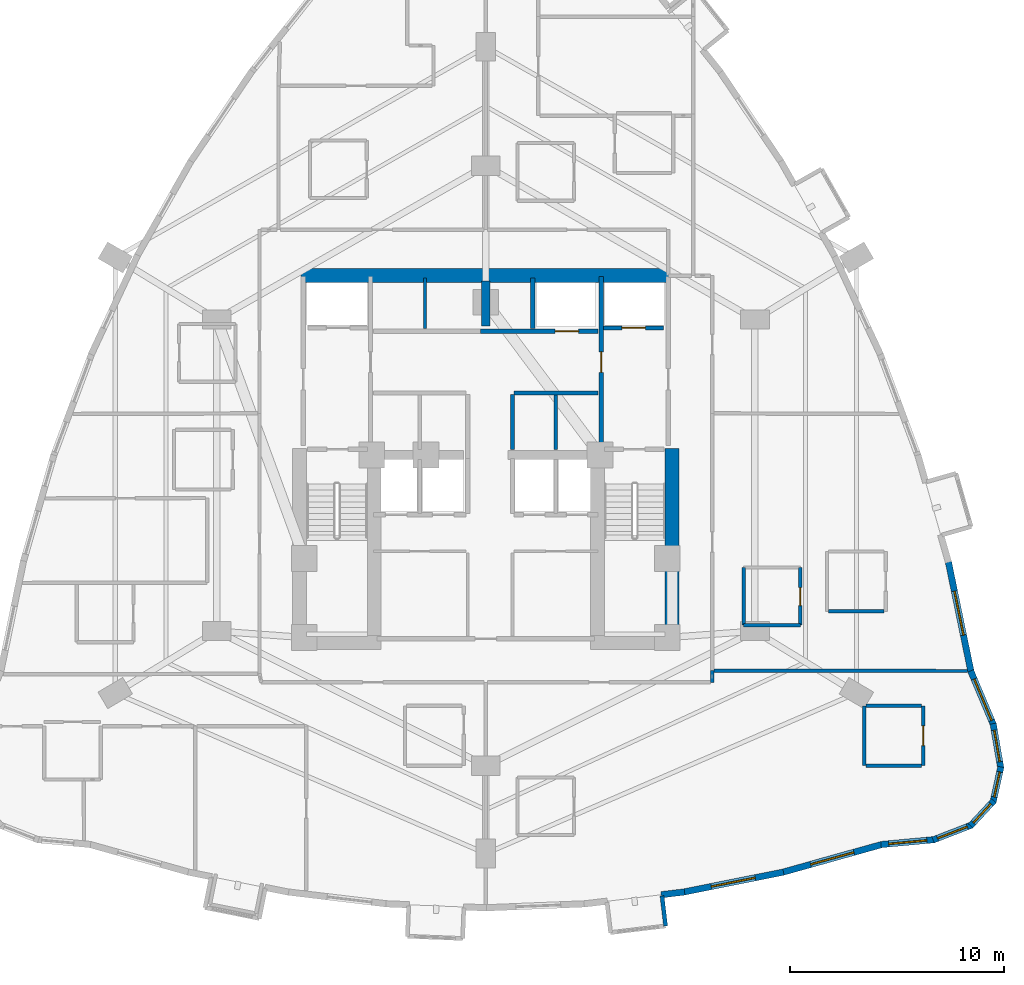
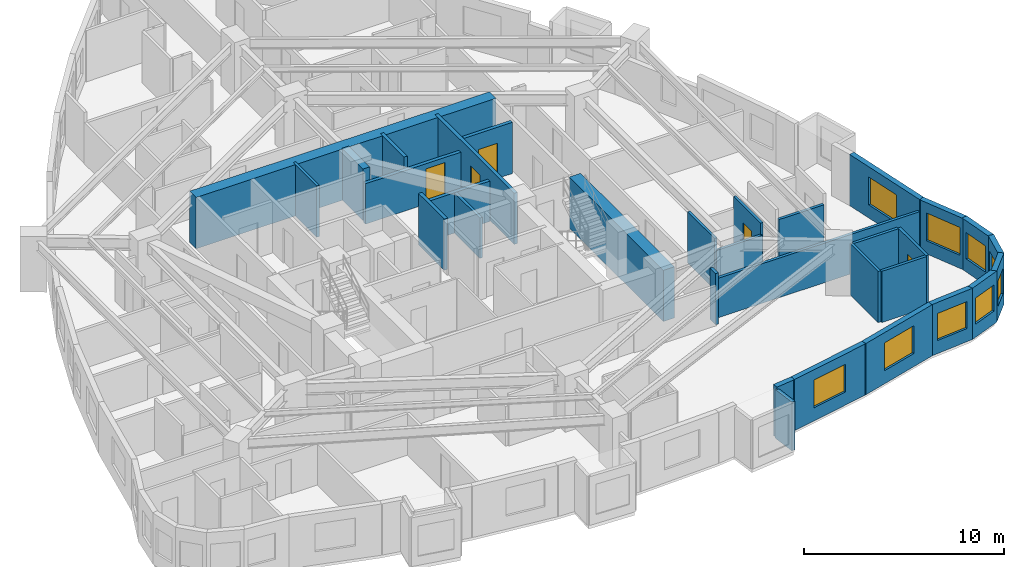
# One storey, part 11 of 15: 32 walls, 9 windows, 5 doors, 14 openings.
"""IFC4 building model written with IfcOpenShell, lengths in metres."""

from ifc_helpers import new_model, si_unit, direction, frame, frame_2d, origin, place, context, subcontext, project, spatial, rectangle, extrude, material, layer, layer_set, type_object, element, fill, save


model = new_model("IFC4")

# Units and contexts
model_context = context("Model", 3, precision=1e-05, world=origin(), true_north=direction((0.0, 1.0)))
body_context = subcontext(model_context, "Body", "Model", "MODEL_VIEW")
ifc_project = project(units=[si_unit("LENGTHUNIT", "METRE"), si_unit("AREAUNIT", "SQUARE_METRE"), si_unit("VOLUMEUNIT", "CUBIC_METRE"), si_unit("PLANEANGLEUNIT", "RADIAN"), si_unit("MASSUNIT", "GRAM", prefix="KILO")], contexts=[model_context])

# Site, building, storey
site_placement = place(None, origin())
site = spatial("IfcSite", under=ifc_project, at=site_placement, CompositionType="ELEMENT")
building_placement = place(site_placement, origin())
building = spatial("IfcBuilding", under=site, at=building_placement, Name="Miruveldt Soraemaru", CompositionType="ELEMENT")
storey_placement = place(building_placement, frame((0.0, 0.0, 83.60009765625)))
storey = spatial("IfcBuildingStorey", under=building, at=storey_placement, Name="L23", CompositionType="ELEMENT", Elevation=83.60009765625)

# Walls
ifc_material_1 = material(Name="White powder-coated aluminium EN AW-6060 T6", Category="aluminium")
ifc_layer_1 = layer(ifc_material_1, 0.18994140625, Name="White powder-coated aluminium EN AW-6060 T6", Category="aluminium")
ifc_layer_set_1 = layer_set([ifc_layer_1], Name="White powder-coated aluminium EN AW-6060 T6")
wall_type_1 = type_object("IfcWallType", Name="WALL-BAY-ALU190", PredefinedType="SOLIDWALL", material=ifc_layer_set_1)
wall_1_placement = place(storey_placement, frame((52.42138671875, 21.987060546875, 0.0), z_axis=(0.0, 0.0, 1.0), x_axis=(-0.119057405757, 0.992887372331, 0.0)))
element("IfcWall", 1, at=wall_1_placement, inside=storey, type_object=wall_type_1, Name="L23 Bay Window Side Cheek 3R", PredefinedType="SOLIDWALL", context=body_context, shape_type="SweptSolid", body=[
    extrude(rectangle(XDim=1.42529296875, YDim=0.18994140625, at=frame_2d((0.712646484375, 0.0))), origin(), (0.0, 0.0, 1.0), 2.974853515625),
])
ifc_material_2 = material(Name="Concrete C70/85 (70 MPa)", Category="concrete")
ifc_layer_2 = layer(ifc_material_2, 0.5, Name="Concrete C70/85 (70 MPa)", Category="concrete")
ifc_layer_set_2 = layer_set([ifc_layer_2], Name="Concrete C70/85 (70 MPa)")
wall_type_2 = type_object("IfcWallType", Name="WALL-BW-500", PredefinedType="SHEAR", material=ifc_layer_set_2)
wall_2_placement = place(storey_placement, frame((44.0, 50.10009765625, 0.0), z_axis=(0.0, 0.0, 1.0), x_axis=(0.0, 1.0, 0.0)))
element("IfcWall", 2, at=wall_2_placement, inside=storey, type_object=wall_type_2, Name="L23 Core Buttress Shear Wall BN", PredefinedType="SHEAR", context=body_context, shape_type="SweptSolid", body=[
    extrude(rectangle(XDim=2.099853515625, YDim=0.39990234375, at=frame_2d((1.0498046875, 0.0))), origin(), (0.0, 0.0, 1.0), 3.125),
])
ifc_material_3 = material(Name="Concrete C80/95 (80 MPa)", Category="concrete")
ifc_layer_3 = layer(ifc_material_3, 0.64990234375, Name="Concrete C80/95 (80 MPa)", Category="concrete")
ifc_layer_set_3 = layer_set([ifc_layer_3], Name="Concrete C80/95 (80 MPa)")
wall_type_3 = type_object("IfcWallType", Name="WALL-CW-650", PredefinedType="SHEAR", material=ifc_layer_set_3)
wall_3_placement = place(storey_placement, frame((35.35009765625, 52.449951171875, 0.0), z_axis=(0.0, 0.0, 1.0), x_axis=(1.0, 0.0, 0.0)))
element("IfcWall", 3, at=wall_3_placement, inside=storey, type_object=wall_type_3, Name="L23 Central Core Shear Wall N", PredefinedType="SHEAR", context=body_context, shape_type="SweptSolid", body=[
    extrude(rectangle(XDim=17.2998046875, YDim=0.64990234375, at=frame_2d((8.64990234375, 0.0))), origin(), (0.0, 0.0, 1.0), 3.125),
])
wall_4_placement = place(storey_placement, frame((52.72509765625, 34.949951171875, 0.0), z_axis=(0.0, 0.0, 1.0), x_axis=(0.0, 1.0, 0.0)))
element("IfcWall", 4, at=wall_4_placement, inside=storey, type_object=wall_type_3, Name="L23 Central Core Shear Wall E1", PredefinedType="SHEAR", context=body_context, shape_type="SweptSolid", body=[
    extrude(rectangle(XDim=9.400146484375, YDim=0.64990234375, at=frame_2d((4.7001953125, 0.0))), origin(), (0.0, 0.0, 1.0), 3.125),
])
ifc_material_4 = material(Name="Precast concrete C45/55 (45 MPa)", Category="concrete")
ifc_layer_4 = layer(ifc_material_4, 0.300048828125, Name="Precast concrete C45/55 (45 MPa)", Category="concrete")
ifc_layer_set_4 = layer_set([ifc_layer_4], Name="Precast concrete C45/55 (45 MPa)")
wall_type_4 = type_object("IfcWallType", Name="WALL-EXT-PC300", PredefinedType="SOLIDWALL", material=ifc_layer_set_4)
wall_5_placement = place(storey_placement, frame((52.21533203125, 23.452880859375, 0.0), z_axis=(0.0, 0.0, 1.0), x_axis=(0.992870535119, 0.119197736946, 0.0)))
element("IfcWall", 5, at=wall_5_placement, inside=storey, type_object=wall_type_4, Name="L23 Precast Pier Wall 26B", PredefinedType="SOLIDWALL", context=body_context, shape_type="SweptSolid", body=[
    extrude(rectangle(XDim=1.099853515625, YDim=0.300048828125, at=frame_2d((0.5498046875, 0.0))), origin(), (0.0, 0.0, 1.0), 3.125),
])

# Wall, opening, window
wall_6_placement = place(storey_placement, frame((53.23828125, 23.572998046875, 0.0), z_axis=(0.0, 0.0, 1.0), x_axis=(0.980582632713, 0.196106349773, 0.0)))
wall_6 = element("IfcWall", 6, at=wall_6_placement, inside=storey, type_object=wall_type_4, Name="L23 Precast Concrete Facade Wall 27", PredefinedType="SOLIDWALL", context=body_context, shape_type="SweptSolid", body=[
    extrude(rectangle(XDim=4.798095703125, YDim=0.300048828125, at=frame_2d((2.39892578125, 0.0))), origin(), (0.0, 0.0, 1.0), 3.125),
])
opening_1_placement = place(wall_6_placement, frame((1.34912109375, 0.0, 0.800048828125)))
opening_1 = element("IfcOpeningElement", 7, at=opening_1_placement, cuts=wall_6, Name="Opening WN-1", PredefinedType="OPENING", context=body_context, shape_type="SweptSolid", body=[
    extrude(rectangle(XDim=2.10009765625, YDim=1.699951171875, at=frame_2d((1.050048828125, 0.85009765625))), frame((0.0, 0.16015625, 0.0), z_axis=(0.0, -1.0, 0.0), x_axis=(1.0, 0.0, 0.0)), (0.0, 0.0, 1.0), 0.320068359375),
])
ifc_material_5 = material(Name="Triple low-e insulated glazing", Category="glass")
window_type_1 = type_object("IfcWindowType", Name="WIN-PUNCH-2100x1700", PartitioningType="SINGLE_PANEL", PredefinedType="WINDOW", material=ifc_material_5)
window_1_placement = place(opening_1_placement, origin())
window_1 = element("IfcWindow", 8, at=window_1_placement, inside=storey, type_object=window_type_1, Name="L23 Punched Triple-Glazed Window 27.1", OverallHeight=1.699951171875, OverallWidth=2.10009765625, PartitioningType="SINGLE_PANEL", PredefinedType="WINDOW", context=body_context, shape_type="SweptSolid", body=[
    extrude(rectangle(XDim=2.10009765625, YDim=1.699951171875, at=frame_2d((1.050048828125, 0.85009765625))), frame((0.0, 0.030029296875, 0.0), z_axis=(0.0, -1.0, 0.0), x_axis=(1.0, 0.0, 0.0)), (0.0, 0.0, 1.0), 0.06005859375),
])
fill(opening_1, window_1)

wall_7_placement = place(storey_placement, frame((57.875244140625, 24.497802734375, 0.0), z_axis=(0.0, 0.0, 1.0), x_axis=(0.962970248778, 0.269607677873, 0.0)))
wall_7 = element("IfcWall", 9, at=wall_7_placement, inside=storey, type_object=wall_type_4, Name="L23 Precast Concrete Facade Wall 28", PredefinedType="SOLIDWALL", context=body_context, shape_type="SweptSolid", body=[
    extrude(rectangle(XDim=4.884521484375, YDim=0.300048828125, at=frame_2d((2.4423828125, 0.0))), origin(), (0.0, 0.0, 1.0), 3.125),
])
opening_2_placement = place(wall_7_placement, frame((1.39208984375, 0.0, 0.800048828125)))
opening_2 = element("IfcOpeningElement", 10, at=opening_2_placement, cuts=wall_7, Name="Opening WN-1", PredefinedType="OPENING", context=body_context, shape_type="SweptSolid", body=[
    extrude(rectangle(XDim=2.10009765625, YDim=1.699951171875, at=frame_2d((1.050048828125, 0.85009765625))), frame((0.0, 0.16015625, 0.0), z_axis=(0.0, -1.0, 0.0), x_axis=(1.0, 0.0, 0.0)), (0.0, 0.0, 1.0), 0.320068359375),
])
window_2_placement = place(opening_2_placement, origin())
window_2 = element("IfcWindow", 11, at=window_2_placement, inside=storey, type_object=window_type_1, Name="L23 Punched Triple-Glazed Window 28.1", OverallHeight=1.699951171875, OverallWidth=2.10009765625, PartitioningType="SINGLE_PANEL", PredefinedType="WINDOW", context=body_context, shape_type="SweptSolid", body=[
    extrude(rectangle(XDim=2.10009765625, YDim=1.699951171875, at=frame_2d((1.050048828125, 0.85009765625))), frame((0.0, 0.030029296875, 0.0), z_axis=(0.0, -1.0, 0.0), x_axis=(1.0, 0.0, 0.0)), (0.0, 0.0, 1.0), 0.06005859375),
])
fill(opening_2, window_2)

wall_8_placement = place(storey_placement, frame((62.51025390625, 25.802001953125, 0.0), z_axis=(0.0, 0.0, 1.0), x_axis=(0.995756157786, 0.092030833048, 0.0)))
wall_8 = element("IfcWall", 12, at=wall_8_placement, inside=storey, type_object=wall_type_4, Name="L23 Precast Concrete Facade Wall 29", PredefinedType="SOLIDWALL", context=body_context, shape_type="SweptSolid", body=[
    extrude(rectangle(XDim=2.517578125, YDim=0.300048828125, at=frame_2d((1.2587890625, 0.0))), origin(), (0.0, 0.0, 1.0), 3.125),
])
opening_3_placement = place(wall_8_placement, frame((0.35888671875, 0.0, 0.800048828125)))
opening_3 = element("IfcOpeningElement", 13, at=opening_3_placement, cuts=wall_8, Name="Opening WN-2", PredefinedType="OPENING", context=body_context, shape_type="SweptSolid", body=[
    extrude(rectangle(XDim=1.800048828125, YDim=1.64990234375, at=frame_2d((0.89990234375, 0.824951171875))), frame((0.0, 0.16015625, 0.0), z_axis=(0.0, -1.0, 0.0), x_axis=(1.0, 0.0, 0.0)), (0.0, 0.0, 1.0), 0.320068359375),
])
window_type_2 = type_object("IfcWindowType", Name="WIN-PUNCH-1800x1650", PartitioningType="SINGLE_PANEL", PredefinedType="WINDOW", material=ifc_material_5)
window_3_placement = place(opening_3_placement, origin())
window_3 = element("IfcWindow", 14, at=window_3_placement, inside=storey, type_object=window_type_2, Name="L23 Punched Triple-Glazed Window 29.1", OverallHeight=1.64990234375, OverallWidth=1.800048828125, PartitioningType="SINGLE_PANEL", PredefinedType="WINDOW", context=body_context, shape_type="SweptSolid", body=[
    extrude(rectangle(XDim=1.800048828125, YDim=1.64990234375, at=frame_2d((0.89990234375, 0.824951171875))), frame((0.0, 0.030029296875, 0.0), z_axis=(0.0, -1.0, 0.0), x_axis=(1.0, 0.0, 0.0)), (0.0, 0.0, 1.0), 0.06005859375),
])
fill(opening_3, window_3)

wall_9_placement = place(storey_placement, frame((64.94970703125, 26.017578125, 0.0), z_axis=(0.0, 0.0, 1.0), x_axis=(0.932226848531, 0.36187442971, 0.0)))
wall_9 = element("IfcWall", 15, at=wall_9_placement, inside=storey, type_object=wall_type_4, Name="L23 Precast Concrete Facade Wall 30", PredefinedType="SOLIDWALL", context=body_context, shape_type="SweptSolid", body=[
    extrude(rectangle(XDim=1.93701171875, YDim=0.300048828125, at=frame_2d((0.968505859375, 0.0))), origin(), (0.0, 0.0, 1.0), 3.125),
])
opening_4_placement = place(wall_9_placement, frame((0.218017578125, 0.0, 0.800048828125)))
opening_4 = element("IfcOpeningElement", 16, at=opening_4_placement, cuts=wall_9, Name="Opening WN-3", PredefinedType="OPENING", context=body_context, shape_type="SweptSolid", body=[
    extrude(rectangle(XDim=1.5, YDim=1.60009765625, at=frame_2d((0.75, 0.800048828125))), frame((0.0, 0.16015625, 0.0), z_axis=(0.0, -1.0, 0.0), x_axis=(1.0, 0.0, 0.0)), (0.0, 0.0, 1.0), 0.320068359375),
])
window_type_3 = type_object("IfcWindowType", Name="WIN-PUNCH-1500x1600", PartitioningType="SINGLE_PANEL", PredefinedType="WINDOW", material=ifc_material_5)
window_4_placement = place(opening_4_placement, origin())
window_4 = element("IfcWindow", 17, at=window_4_placement, inside=storey, type_object=window_type_3, Name="L23 Punched Triple-Glazed Window 30.1", OverallHeight=1.60009765625, OverallWidth=1.5, PartitioningType="SINGLE_PANEL", PredefinedType="WINDOW", context=body_context, shape_type="SweptSolid", body=[
    extrude(rectangle(XDim=1.5, YDim=1.60009765625, at=frame_2d((0.75, 0.800048828125))), frame((0.0, 0.030029296875, 0.0), z_axis=(0.0, -1.0, 0.0), x_axis=(1.0, 0.0, 0.0)), (0.0, 0.0, 1.0), 0.06005859375),
])
fill(opening_4, window_4)

wall_10_placement = place(storey_placement, frame((66.698974609375, 26.679931640625, 0.0), z_axis=(0.0, 0.0, 1.0), x_axis=(0.680153593671, 0.733069634493, 0.0)))
wall_10 = element("IfcWall", 18, at=wall_10_placement, inside=storey, type_object=wall_type_4, Name="L23 Precast Concrete Facade Wall 31", PredefinedType="SOLIDWALL", context=body_context, shape_type="SweptSolid", body=[
    extrude(rectangle(XDim=1.60546875, YDim=0.300048828125, at=frame_2d((0.802734375, 0.0))), origin(), (0.0, 0.0, 1.0), 3.125),
])
opening_5_placement = place(wall_10_placement, frame((0.202880859375, 0.0, 0.780029296875)))
opening_5 = element("IfcOpeningElement", 19, at=opening_5_placement, cuts=wall_10, Name="Opening WN-4", PredefinedType="OPENING", context=body_context, shape_type="SweptSolid", body=[
    extrude(rectangle(XDim=1.199951171875, YDim=1.550048828125, at=frame_2d((0.60009765625, 0.77490234375))), frame((0.0, 0.16015625, 0.0), z_axis=(0.0, -1.0, 0.0), x_axis=(1.0, 0.0, 0.0)), (0.0, 0.0, 1.0), 0.320068359375),
])
window_type_4 = type_object("IfcWindowType", Name="WIN-PUNCH-1200x1550", PartitioningType="SINGLE_PANEL", PredefinedType="WINDOW", material=ifc_material_5)
window_5_placement = place(opening_5_placement, origin())
window_5 = element("IfcWindow", 20, at=window_5_placement, inside=storey, type_object=window_type_4, Name="L23 Punched Triple-Glazed Window 31.1", OverallHeight=1.550048828125, OverallWidth=1.199951171875, PartitioningType="SINGLE_PANEL", PredefinedType="WINDOW", context=body_context, shape_type="SweptSolid", body=[
    extrude(rectangle(XDim=1.199951171875, YDim=1.550048828125, at=frame_2d((0.60009765625, 0.77490234375))), frame((0.0, 0.030029296875, 0.0), z_axis=(0.0, -1.0, 0.0), x_axis=(1.0, 0.0, 0.0)), (0.0, 0.0, 1.0), 0.06005859375),
])
fill(opening_5, window_5)

wall_11_placement = place(storey_placement, frame((67.759521484375, 27.797119140625, 0.0), z_axis=(0.0, 0.0, 1.0), x_axis=(0.215871143304, 0.976421860411, 0.0)))
wall_11 = element("IfcWall", 21, at=wall_11_placement, inside=storey, type_object=wall_type_4, Name="L23 Precast Concrete Facade Wall 32", PredefinedType="SOLIDWALL", context=body_context, shape_type="SweptSolid", body=[
    extrude(rectangle(XDim=1.68408203125, YDim=0.300048828125, at=frame_2d((0.842041015625, 0.0))), origin(), (0.0, 0.0, 1.0), 3.125),
])
opening_6_placement = place(wall_11_placement, frame((0.241943359375, 0.0, 0.780029296875)))
opening_6 = element("IfcOpeningElement", 22, at=opening_6_placement, cuts=wall_11, Name="Opening WN-4", PredefinedType="OPENING", context=body_context, shape_type="SweptSolid", body=[
    extrude(rectangle(XDim=1.199951171875, YDim=1.550048828125, at=frame_2d((0.60009765625, 0.77490234375))), frame((0.0, 0.16015625, 0.0), z_axis=(0.0, -1.0, 0.0), x_axis=(1.0, 0.0, 0.0)), (0.0, 0.0, 1.0), 0.320068359375),
])
window_6_placement = place(opening_6_placement, origin())
window_6 = element("IfcWindow", 23, at=window_6_placement, inside=storey, type_object=window_type_4, Name="L23 Punched Triple-Glazed Window 32.1", OverallHeight=1.550048828125, OverallWidth=1.199951171875, PartitioningType="SINGLE_PANEL", PredefinedType="WINDOW", context=body_context, shape_type="SweptSolid", body=[
    extrude(rectangle(XDim=1.199951171875, YDim=1.550048828125, at=frame_2d((0.60009765625, 0.77490234375))), frame((0.0, 0.030029296875, 0.0), z_axis=(0.0, -1.0, 0.0), x_axis=(1.0, 0.0, 0.0)), (0.0, 0.0, 1.0), 0.06005859375),
])
fill(opening_6, window_6)

wall_12_placement = place(storey_placement, frame((68.121337890625, 29.37255859375, 0.0), z_axis=(0.0, 0.0, 1.0), x_axis=(-0.169387729848, 0.985549489867, 0.0)))
wall_12 = element("IfcWall", 24, at=wall_12_placement, inside=storey, type_object=wall_type_4, Name="L23 Precast Concrete Facade Wall 33", PredefinedType="SOLIDWALL", context=body_context, shape_type="SweptSolid", body=[
    extrude(rectangle(XDim=2.1259765625, YDim=0.300048828125, at=frame_2d((1.06298828125, 0.0))), origin(), (0.0, 0.0, 1.0), 3.125),
])
opening_7_placement = place(wall_12_placement, frame((0.31298828125, 0.0, 0.800048828125)))
opening_7 = element("IfcOpeningElement", 25, at=opening_7_placement, cuts=wall_12, Name="Opening WN-3", PredefinedType="OPENING", context=body_context, shape_type="SweptSolid", body=[
    extrude(rectangle(XDim=1.5, YDim=1.60009765625, at=frame_2d((0.75, 0.800048828125))), frame((0.0, 0.16015625, 0.0), z_axis=(0.0, -1.0, 0.0), x_axis=(1.0, 0.0, 0.0)), (0.0, 0.0, 1.0), 0.320068359375),
])
window_7_placement = place(opening_7_placement, origin())
window_7 = element("IfcWindow", 26, at=window_7_placement, inside=storey, type_object=window_type_3, Name="L23 Punched Triple-Glazed Window 33.1", OverallHeight=1.60009765625, OverallWidth=1.5, PartitioningType="SINGLE_PANEL", PredefinedType="WINDOW", context=body_context, shape_type="SweptSolid", body=[
    extrude(rectangle(XDim=1.5, YDim=1.60009765625, at=frame_2d((0.75, 0.800048828125))), frame((0.0, 0.030029296875, 0.0), z_axis=(0.0, -1.0, 0.0), x_axis=(1.0, 0.0, 0.0)), (0.0, 0.0, 1.0), 0.06005859375),
])
fill(opening_7, window_7)

wall_13_placement = place(storey_placement, frame((67.78076171875, 31.40087890625, 0.0), z_axis=(0.0, 0.0, 1.0), x_axis=(-0.38859128496, 0.921410230708, 0.0)))
wall_13 = element("IfcWall", 27, at=wall_13_placement, inside=storey, type_object=wall_type_4, Name="L23 Precast Concrete Facade Wall 34", PredefinedType="SOLIDWALL", context=body_context, shape_type="SweptSolid", body=[
    extrude(rectangle(XDim=2.757568359375, YDim=0.300048828125, at=frame_2d((1.37890625, 0.0))), origin(), (0.0, 0.0, 1.0), 3.125),
])
opening_8_placement = place(wall_13_placement, frame((0.236083984375, 0.0, 0.800048828125)))
opening_8 = element("IfcOpeningElement", 28, at=opening_8_placement, cuts=wall_13, Name="Opening WN-1", PredefinedType="OPENING", context=body_context, shape_type="SweptSolid", body=[
    extrude(rectangle(XDim=2.10009765625, YDim=1.699951171875, at=frame_2d((1.050048828125, 0.85009765625))), frame((0.0, 0.16015625, 0.0), z_axis=(0.0, -1.0, 0.0), x_axis=(1.0, 0.0, 0.0)), (0.0, 0.0, 1.0), 0.320068359375),
])
window_8_placement = place(opening_8_placement, origin())
window_8 = element("IfcWindow", 29, at=window_8_placement, inside=storey, type_object=window_type_1, Name="L23 Punched Triple-Glazed Window 34.1", OverallHeight=1.699951171875, OverallWidth=2.10009765625, PartitioningType="SINGLE_PANEL", PredefinedType="WINDOW", context=body_context, shape_type="SweptSolid", body=[
    extrude(rectangle(XDim=2.10009765625, YDim=1.699951171875, at=frame_2d((1.050048828125, 0.85009765625))), frame((0.0, 0.030029296875, 0.0), z_axis=(0.0, -1.0, 0.0), x_axis=(1.0, 0.0, 0.0)), (0.0, 0.0, 1.0), 0.06005859375),
])
fill(opening_8, window_8)

wall_14_placement = place(storey_placement, frame((66.72998046875, 33.875244140625, 0.0), z_axis=(0.0, 0.0, 1.0), x_axis=(-0.20158951894, 0.979470094415, 0.0)))
wall_14 = element("IfcWall", 30, at=wall_14_placement, inside=storey, type_object=wall_type_4, Name="L23 Precast Concrete Facade Wall 35", PredefinedType="SOLIDWALL", context=body_context, shape_type="SweptSolid", body=[
    extrude(rectangle(XDim=5.323974609375, YDim=0.300048828125, at=frame_2d((2.662109375, 0.0))), origin(), (0.0, 0.0, 1.0), 3.125),
])
opening_9_placement = place(wall_14_placement, frame((1.778076171875, 0.0, 0.800048828125)))
opening_9 = element("IfcOpeningElement", 31, at=opening_9_placement, cuts=wall_14, Name="Opening WN-1", PredefinedType="OPENING", context=body_context, shape_type="SweptSolid", body=[
    extrude(rectangle(XDim=2.10009765625, YDim=1.699951171875, at=frame_2d((1.050048828125, 0.85009765625))), frame((0.0, 0.16015625, 0.0), z_axis=(0.0, -1.0, 0.0), x_axis=(1.0, 0.0, 0.0)), (0.0, 0.0, 1.0), 0.320068359375),
])
window_9_placement = place(opening_9_placement, origin())
window_9 = element("IfcWindow", 32, at=window_9_placement, inside=storey, type_object=window_type_1, Name="L23 Punched Triple-Glazed Window 35.1", OverallHeight=1.699951171875, OverallWidth=2.10009765625, PartitioningType="SINGLE_PANEL", PredefinedType="WINDOW", context=body_context, shape_type="SweptSolid", body=[
    extrude(rectangle(XDim=2.10009765625, YDim=1.699951171875, at=frame_2d((1.050048828125, 0.85009765625))), frame((0.0, 0.030029296875, 0.0), z_axis=(0.0, -1.0, 0.0), x_axis=(1.0, 0.0, 0.0)), (0.0, 0.0, 1.0), 0.06005859375),
])
fill(opening_9, window_9)

# Wall, opening, door
ifc_material_6 = material(Name="Gypsum plasterboard lining", Category="gypsum")
ifc_layer_5 = layer(ifc_material_6, 0.14990234375, Name="Gypsum plasterboard lining", Category="gypsum")
ifc_layer_set_5 = layer_set([ifc_layer_5], Name="Gypsum plasterboard lining")
wall_type_5 = type_object("IfcWallType", Name="WALL-INT-PLUMB", PredefinedType="PLUMBINGWALL", material=ifc_layer_set_5)
wall_15_placement = place(storey_placement, frame((58.72998046875, 36.080078125, 0.0), z_axis=(0.0, 0.0, 1.0), x_axis=(0.0, 1.0, 0.0)))
wall_15 = element("IfcWall", 33, at=wall_15_placement, inside=storey, type_object=wall_type_5, Name="L23 Partition Wall 86", PredefinedType="PLUMBINGWALL", context=body_context, shape_type="SweptSolid", body=[
    extrude(rectangle(XDim=2.699951171875, YDim=0.14990234375, at=frame_2d((1.35009765625, 0.0))), origin(), (0.0, 0.0, 1.0), 3.125),
])
opening_10_placement = place(wall_15_placement, frame((0.909912109375, 0.0, 0.0)))
opening_10 = element("IfcOpeningElement", 34, at=opening_10_placement, cuts=wall_15, Name="Opening FD3", PredefinedType="OPENING", context=body_context, shape_type="SweptSolid", body=[
    extrude(rectangle(XDim=0.85009765625, YDim=2.10009765625, at=frame_2d((0.425048828125, 1.050048828125))), frame((0.0, 0.0849609375, 0.0), z_axis=(0.0, -1.0, 0.0), x_axis=(1.0, 0.0, 0.0)), (0.0, 0.0, 1.0), 0.169921875),
])
ifc_material_7 = material(Name="Anodised aluminium EN AW-6063 T6", Category="aluminium")
door_type_1 = type_object("IfcDoorType", Name="DOOR-FD3-850", OperationType="NOTDEFINED", PredefinedType="DOOR", material=ifc_material_7)
door_1_placement = place(opening_10_placement, origin())
door_1 = element("IfcDoor", 35, at=door_1_placement, inside=storey, type_object=door_type_1, Name="L23 Unit CL08 BTH Door", OperationType="SINGLE_SWING_RIGHT", OverallHeight=2.10009765625, OverallWidth=0.85009765625, PredefinedType="DOOR", context=body_context, shape_type="SweptSolid", body=[
    extrude(rectangle(XDim=0.85009765625, YDim=2.10009765625, at=frame_2d((0.425048828125, 1.050048828125))), frame((0.0, 0.02490234375, 0.0), z_axis=(0.0, -1.0, 0.0), x_axis=(1.0, 0.0, 0.0)), (0.0, 0.0, 1.0), 0.050048828125),
])
fill(opening_10, door_1)

# Walls
wall_16_placement = place(storey_placement, frame((56.080078125, 38.780029296875, 0.0), z_axis=(0.0, 0.0, 1.0), x_axis=(0.0, -1.0, 0.0)))
element("IfcWall", 36, at=wall_16_placement, inside=storey, type_object=wall_type_5, Name="L23 Partition Wall 88", PredefinedType="PLUMBINGWALL", context=body_context, shape_type="SweptSolid", body=[
    extrude(rectangle(XDim=2.699951171875, YDim=0.14990234375, at=frame_2d((1.35009765625, 0.0))), origin(), (0.0, 0.0, 1.0), 3.125),
])
wall_17_placement = place(storey_placement, frame((56.080078125, 36.080078125, 0.0), z_axis=(0.0, 0.0, 1.0), x_axis=(1.0, 0.0, 0.0)))
element("IfcWall", 37, at=wall_17_placement, inside=storey, type_object=wall_type_5, Name="L23 Partition Wall 89", PredefinedType="PLUMBINGWALL", context=body_context, shape_type="SweptSolid", body=[
    extrude(rectangle(XDim=2.64990234375, YDim=0.14990234375, at=frame_2d((1.324951171875, 0.0))), origin(), (0.0, 0.0, 1.0), 2.412841796875),
])

# Wall, opening, door
ifc_material_8 = material(Name="Concrete C40/50 (40 MPa)", Category="concrete")
ifc_layer_6 = layer(ifc_material_8, 0.159912109375, Name="Concrete C40/50 (40 MPa)", Category="concrete")
ifc_layer_set_6 = layer_set([ifc_layer_6], Name="Concrete C40/50 (40 MPa)")
wall_type_6 = type_object("IfcWallType", Name="WALL-INT-RC160", PredefinedType="SOLIDWALL", material=ifc_layer_set_6)
wall_18_placement = place(storey_placement, frame((64.47998046875, 29.5, 0.0), z_axis=(0.0, 0.0, 1.0), x_axis=(0.0, 1.0, 0.0)))
wall_18 = element("IfcWall", 38, at=wall_18_placement, inside=storey, type_object=wall_type_6, Name="L23 Partition Wall 81", PredefinedType="SOLIDWALL", context=body_context, shape_type="SweptSolid", body=[
    extrude(rectangle(XDim=2.800048828125, YDim=0.159912109375, at=frame_2d((1.39990234375, 0.0))), origin(), (0.0, 0.0, 1.0), 3.125),
])
opening_11_placement = place(wall_18_placement, frame((0.93994140625, 0.0, 0.0)))
opening_11 = element("IfcOpeningElement", 39, at=opening_11_placement, cuts=wall_18, Name="Opening D3A", PredefinedType="OPENING", context=body_context, shape_type="SweptSolid", body=[
    extrude(rectangle(XDim=0.919921875, YDim=2.10009765625, at=frame_2d((0.4599609375, 1.050048828125))), frame((0.0, 0.08984375, 0.0), z_axis=(0.0, -1.0, 0.0), x_axis=(1.0, 0.0, 0.0)), (0.0, 0.0, 1.0), 0.179931640625),
])
door_type_2 = type_object("IfcDoorType", Name="DOOR-INT-920", OperationType="NOTDEFINED", PredefinedType="DOOR", material=ifc_material_7)
door_2_placement = place(opening_11_placement, origin())
door_2 = element("IfcDoor", 40, at=door_2_placement, inside=storey, type_object=door_type_2, Name="L23 Unit CL07 KIT Door", OperationType="SINGLE_SWING_RIGHT", OverallHeight=2.10009765625, OverallWidth=0.919921875, PredefinedType="DOOR", context=body_context, shape_type="SweptSolid", body=[
    extrude(rectangle(XDim=0.919921875, YDim=2.10009765625, at=frame_2d((0.4599609375, 1.050048828125))), frame((0.0, 0.02490234375, 0.0), z_axis=(0.0, -1.0, 0.0), x_axis=(1.0, 0.0, 0.0)), (0.0, 0.0, 1.0), 0.050048828125),
])
fill(opening_11, door_2)

# Walls
wall_19_placement = place(storey_placement, frame((66.550048828125, 33.93310546875, 0.0), z_axis=(0.0, 0.0, 1.0), x_axis=(-0.999998992981, 0.001419167637, 0.0)))
element("IfcWall", 41, at=wall_19_placement, inside=storey, type_object=wall_type_6, Name="L23 Partition Wall 85", PredefinedType="SOLIDWALL", context=body_context, shape_type="SweptSolid", body=[
    extrude(rectangle(XDim=11.8701171875, YDim=0.159912109375, at=frame_2d((5.93505859375, 0.0))), origin(), (0.0, 0.0, 1.0), 2.412841796875),
])
wall_20_placement = place(storey_placement, frame((61.72998046875, 32.300048828125, 0.0), z_axis=(0.0, 0.0, 1.0), x_axis=(0.0, -1.0, 0.0)))
element("IfcWall", 42, at=wall_20_placement, inside=storey, type_object=wall_type_6, Name="L23 Partition Wall 83", PredefinedType="SOLIDWALL", context=body_context, shape_type="SweptSolid", body=[
    extrude(rectangle(XDim=2.800048828125, YDim=0.159912109375, at=frame_2d((1.39990234375, 0.0))), origin(), (0.0, 0.0, 1.0), 3.125),
])
for number, where, z_axis, x_axis, name in (
    (43, (64.39990234375, 32.300048828125, 0.0), (0.0, 0.0, 1.0), (-1.0, 0.0, 0.0), "L23 Partition Wall 82"),
    (44, (61.81005859375, 29.5, 0.0), (0.0, 0.0, 1.0), (1.0, 0.0, 0.0), "L23 Partition Wall 84"),
):
    element("IfcWall", number, at=place(storey_placement, frame(where, z_axis=z_axis, x_axis=x_axis)), inside=storey, type_object=wall_type_6, Name=name, PredefinedType="SOLIDWALL", context=body_context, shape_type="SweptSolid", body=[
        extrude(rectangle(XDim=2.58984375, YDim=0.159912109375, at=frame_2d((1.294921875, 0.0))), origin(), (0.0, 0.0, 1.0), 3.125),
    ])
wall_21_placement = place(storey_placement, frame((60.06005859375, 36.72998046875, 0.0), z_axis=(0.0, 0.0, 1.0), x_axis=(1.0, 0.0, 0.0)))
element("IfcWall", 45, at=wall_21_placement, inside=storey, type_object=wall_type_6, Name="L23 Partition Wall 93", PredefinedType="SOLIDWALL", context=body_context, shape_type="SweptSolid", body=[
    extrude(rectangle(XDim=2.58984375, YDim=0.159912109375, at=frame_2d((1.294921875, 0.0))), origin(), (0.0, 0.0, 1.0), 2.512939453125),
])
wall_22_placement = place(storey_placement, frame((47.280029296875, 44.300048828125, 0.0), z_axis=(0.0, 0.0, 1.0), x_axis=(0.0, 1.0, 0.0)))
element("IfcWall", 46, at=wall_22_placement, inside=storey, type_object=wall_type_6, Name="L23 Core Compartment Wall PLM-DE", PredefinedType="SOLIDWALL", context=body_context, shape_type="SweptSolid", body=[
    extrude(rectangle(XDim=2.550048828125, YDim=0.159912109375, at=frame_2d((1.27490234375, 0.0))), origin(), (0.0, 0.0, 1.0), 2.462890625),
])
wall_23_placement = place(storey_placement, frame((41.14990234375, 49.97998046875, 0.0), z_axis=(0.0, 0.0, 1.0), x_axis=(0.0, 1.0, 0.0)))
element("IfcWall", 47, at=wall_23_placement, inside=storey, type_object=wall_type_6, Name="L23 Core Compartment Wall PLH-DIV1", PredefinedType="SOLIDWALL", context=body_context, shape_type="SweptSolid", body=[
    extrude(rectangle(XDim=2.3701171875, YDim=0.159912109375, at=frame_2d((1.18505859375, 0.0))), origin(), (0.0, 0.0, 1.0), 3.125),
])
wall_24_placement = place(storey_placement, frame((54.60009765625, 33.39990234375, 0.0), z_axis=(0.0, 0.0, 1.0), x_axis=(0.0, 1.0, 0.0)))
element("IfcWall", 48, at=wall_24_placement, inside=storey, type_object=wall_type_6, Name="L23 Partition Wall 12", PredefinedType="SOLIDWALL", context=body_context, shape_type="SweptSolid", body=[
    extrude(rectangle(XDim=0.550048828125, YDim=0.159912109375, at=frame_2d((0.27490234375, 0.0))), origin(), (0.0, 0.0, 1.0), 3.125),
])

# Wall, opening, door
ifc_layer_7 = layer(ifc_material_8, 0.199951171875, Name="Concrete C40/50 (40 MPa)", Category="concrete")
ifc_layer_set_7 = layer_set([ifc_layer_7], Name="Concrete C40/50 (40 MPa)")
wall_type_7 = type_object("IfcWallType", Name="WALL-INT-RC200", PredefinedType="SOLIDWALL", material=ifc_layer_set_7)
wall_25_placement = place(storey_placement, frame((49.39990234375, 44.5, 0.0), z_axis=(0.0, 0.0, 1.0), x_axis=(0.0, 1.0, 0.0)))
wall_25 = element("IfcWall", 49, at=wall_25_placement, inside=storey, type_object=wall_type_7, Name="L23 Core Compartment Wall FFE-IN", PredefinedType="SOLIDWALL", context=body_context, shape_type="SweptSolid", body=[
    extrude(rectangle(XDim=7.919921875, YDim=0.199951171875, at=frame_2d((3.9599609375, 0.0))), origin(), (0.0, 0.0, 1.0), 3.125),
])
opening_12_placement = place(wall_25_placement, frame((3.425048828125, 0.0, 0.0)))
opening_12 = element("IfcOpeningElement", 50, at=opening_12_placement, cuts=wall_25, Name="Opening FD2", PredefinedType="OPENING", context=body_context, shape_type="SweptSolid", body=[
    extrude(rectangle(XDim=0.949951171875, YDim=2.14990234375, at=frame_2d((0.47509765625, 1.074951171875))), frame((0.0, 0.10986328125, 0.0), z_axis=(0.0, -1.0, 0.0), x_axis=(1.0, 0.0, 0.0)), (0.0, 0.0, 1.0), 0.219970703125),
])
door_type_3 = type_object("IfcDoorType", Name="DOOR-FD2-950", OperationType="NOTDEFINED", PredefinedType="DOOR", material=ifc_material_7)
door_3_placement = place(opening_12_placement, origin())
door_3 = element("IfcDoor", 51, at=door_3_placement, inside=storey, type_object=door_type_3, Name="L23 Lift Lobby to East Fire Lobby Door", OperationType="SINGLE_SWING_LEFT", OverallHeight=2.14990234375, OverallWidth=0.949951171875, PredefinedType="DOOR", context=body_context, shape_type="SweptSolid", body=[
    extrude(rectangle(XDim=0.949951171875, YDim=2.14990234375, at=frame_2d((0.47509765625, 1.074951171875))), frame((0.0, 0.02490234375, 0.0), z_axis=(0.0, -1.0, 0.0), x_axis=(1.0, 0.0, 0.0)), (0.0, 0.0, 1.0), 0.050048828125),
])
fill(opening_12, door_3)

wall_26_placement = place(storey_placement, frame((43.75, 49.85009765625, 0.0), z_axis=(0.0, 0.0, 1.0), x_axis=(1.0, 0.0, 0.0)))
wall_26 = element("IfcWall", 52, at=wall_26_placement, inside=storey, type_object=wall_type_7, Name="L23 Core Compartment Wall ROWA-SE", PredefinedType="SOLIDWALL", context=body_context, shape_type="SweptSolid", body=[
    extrude(rectangle(XDim=5.5, YDim=0.199951171875, at=frame_2d((2.75, 0.0))), origin(), (0.0, 0.0, 1.0), 2.462890625),
])
opening_13_placement = place(wall_26_placement, frame((3.5, 0.0, 0.0)))
opening_13 = element("IfcOpeningElement", 53, at=opening_13_placement, cuts=wall_26, Name="Opening LD2", PredefinedType="OPENING", context=body_context, shape_type="SweptSolid", body=[
    extrude(rectangle(XDim=1.10009765625, YDim=2.14990234375, at=frame_2d((0.550048828125, 1.074951171875))), frame((0.0, 0.10986328125, 0.0), z_axis=(0.0, -1.0, 0.0), x_axis=(1.0, 0.0, 0.0)), (0.0, 0.0, 1.0), 0.219970703125),
])
door_type_4 = type_object("IfcDoorType", Name="DOOR-LD2-1100", OperationType="SLIDING_TO_LEFT", PredefinedType="DOOR", material=ifc_material_7)
door_4_placement = place(opening_13_placement, origin())
door_4 = element("IfcDoor", 54, at=door_4_placement, inside=storey, type_object=door_type_4, Name="L23 SL-1 Landing Door", OperationType="SLIDING_TO_LEFT", OverallHeight=2.14990234375, OverallWidth=1.10009765625, PredefinedType="DOOR", context=body_context, shape_type="SweptSolid", body=[
    extrude(rectangle(XDim=1.10009765625, YDim=2.14990234375, at=frame_2d((0.550048828125, 1.074951171875))), frame((0.0, 0.02490234375, 0.0), z_axis=(0.0, -1.0, 0.0), x_axis=(1.0, 0.0, 0.0)), (0.0, 0.0, 1.0), 0.050048828125),
])
fill(opening_13, door_4)

wall_27_placement = place(storey_placement, frame((49.52001953125, 50.0, 0.0), z_axis=(0.0, 0.0, 1.0), x_axis=(1.0, 0.0, 0.0)))
wall_27 = element("IfcWall", 55, at=wall_27_placement, inside=storey, type_object=wall_type_7, Name="L23 Core Compartment Wall FFL2-S", PredefinedType="SOLIDWALL", context=body_context, shape_type="SweptSolid", body=[
    extrude(rectangle(XDim=2.800048828125, YDim=0.199951171875, at=frame_2d((1.39990234375, 0.0))), origin(), (0.0, 0.0, 1.0), 3.125),
])
opening_14_placement = place(wall_27_placement, frame((0.85009765625, 0.0, 0.0)))
opening_14 = element("IfcOpeningElement", 56, at=opening_14_placement, cuts=wall_27, Name="Opening LD2", PredefinedType="OPENING", context=body_context, shape_type="SweptSolid", body=[
    extrude(rectangle(XDim=1.10009765625, YDim=2.14990234375, at=frame_2d((0.550048828125, 1.074951171875))), frame((0.0, 0.10986328125, 0.0), z_axis=(0.0, -1.0, 0.0), x_axis=(1.0, 0.0, 0.0)), (0.0, 0.0, 1.0), 0.219970703125),
])
door_5_placement = place(opening_14_placement, origin())
door_5 = element("IfcDoor", 57, at=door_5_placement, inside=storey, type_object=door_type_4, Name="L23 FFL-2 Landing Door", OperationType="SLIDING_TO_LEFT", OverallHeight=2.14990234375, OverallWidth=1.10009765625, PredefinedType="DOOR", context=body_context, shape_type="SweptSolid", body=[
    extrude(rectangle(XDim=1.10009765625, YDim=2.14990234375, at=frame_2d((0.550048828125, 1.074951171875))), frame((0.0, 0.02490234375, 0.0), z_axis=(0.0, -1.0, 0.0), x_axis=(1.0, 0.0, 0.0)), (0.0, 0.0, 1.0), 0.050048828125),
])
fill(opening_14, door_5)

# Walls
wall_28_placement = place(storey_placement, frame((45.320068359375, 46.949951171875, 0.0), z_axis=(0.0, 0.0, 1.0), x_axis=(1.0, 0.0, 0.0)))
element("IfcWall", 58, at=wall_28_placement, inside=storey, type_object=wall_type_7, Name="L23 Core Compartment Wall MBE-N", PredefinedType="SOLIDWALL", context=body_context, shape_type="SweptSolid", body=[
    extrude(rectangle(XDim=3.929931640625, YDim=0.199951171875, at=frame_2d((1.96484375, 0.0))), origin(), (0.0, 0.0, 1.0), 2.462890625),
])
wall_29_placement = place(storey_placement, frame((45.25, 44.300048828125, 0.0), z_axis=(0.0, 0.0, 1.0), x_axis=(0.0, 1.0, 0.0)))
element("IfcWall", 59, at=wall_29_placement, inside=storey, type_object=wall_type_7, Name="L23 Core Compartment Wall SP-EB", PredefinedType="SOLIDWALL", context=body_context, shape_type="SweptSolid", body=[
    extrude(rectangle(XDim=2.579833984375, YDim=0.199951171875, at=frame_2d((1.2900390625, 0.0))), origin(), (0.0, 0.0, 1.0), 3.125),
])
wall_30_placement = place(storey_placement, frame((46.199951171875, 49.97998046875, 0.0), z_axis=(0.0, 0.0, 1.0), x_axis=(0.0, 1.0, 0.0)))
element("IfcWall", 60, at=wall_30_placement, inside=storey, type_object=wall_type_7, Name="L23 Core Compartment Wall PLH-SL-DIV", PredefinedType="SOLIDWALL", context=body_context, shape_type="SweptSolid", body=[
    extrude(rectangle(XDim=2.3701171875, YDim=0.199951171875, at=frame_2d((1.18505859375, 0.0))), origin(), (0.0, 0.0, 1.0), 3.125),
])

save(model, "model.ifc")
